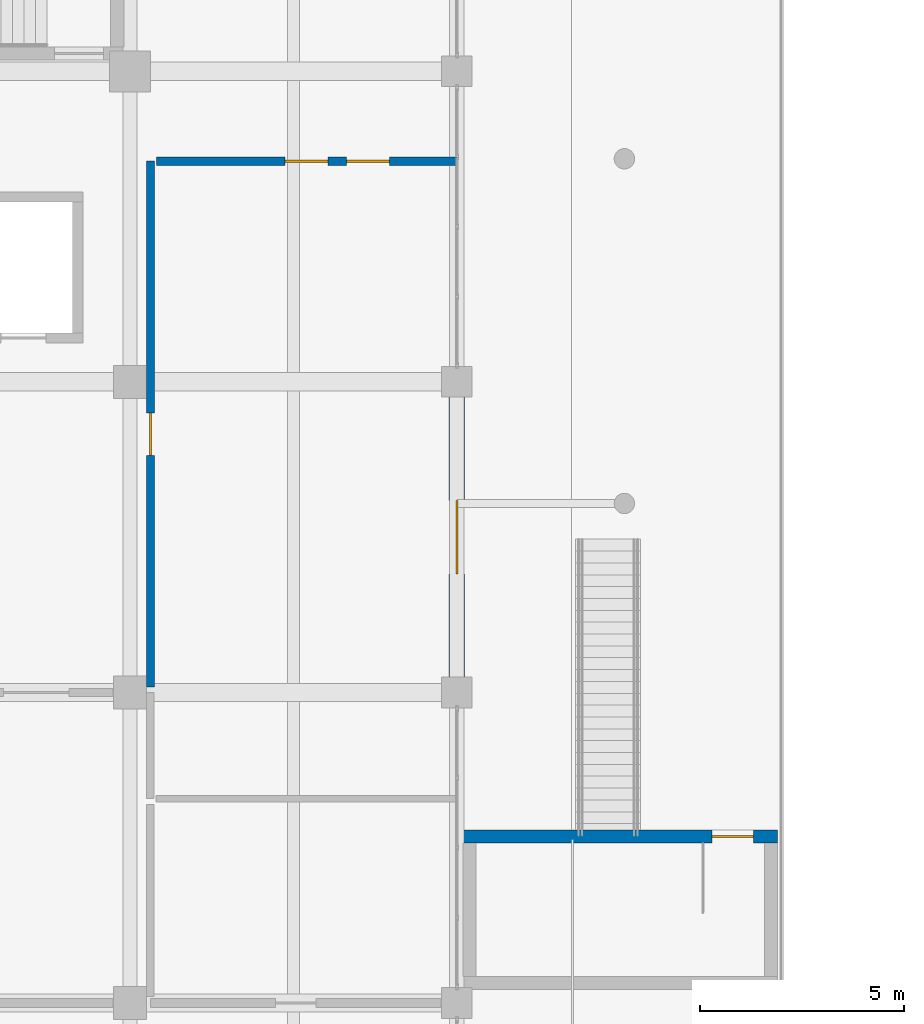
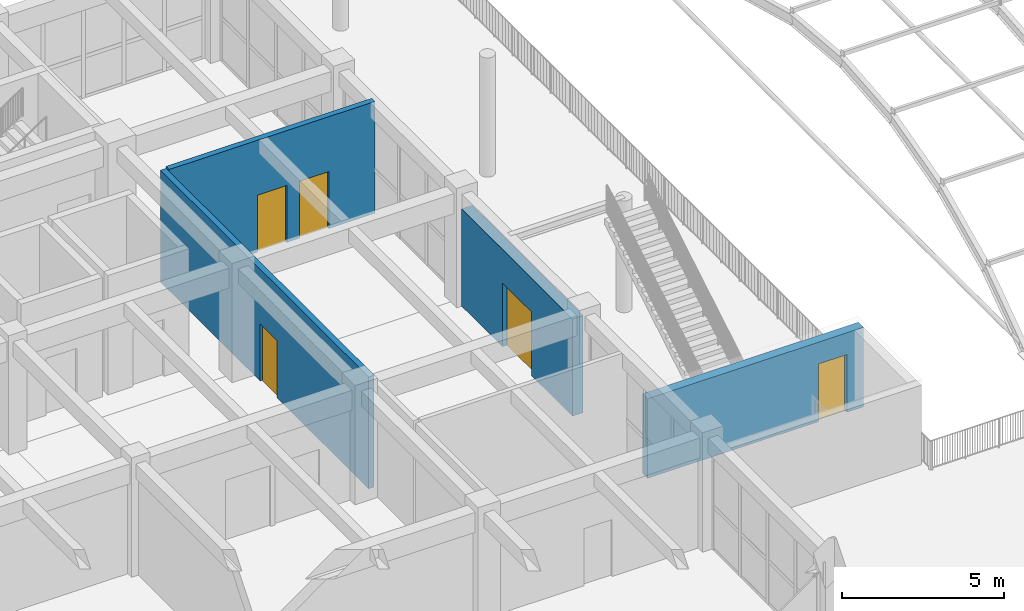
# One storey, part 56 of 79: 5 doors, 4 walls, 5 openings.
"""IFC4 building model written with IfcOpenShell, lengths in metres."""

from ifc_helpers import new_model, si_unit, direction, frame, frame_2d, origin, place, context, subcontext, project, spatial, rectangle, extrude, material, layer, layer_set, type_object, element, fill, save


model = new_model("IFC4")

# Units and contexts
model_context = context("Model", 3, precision=1e-05, world=origin(), true_north=direction((0.0, 1.0)))
body_context = subcontext(model_context, "Body", "Model", "MODEL_VIEW")
ifc_project = project(units=[si_unit("LENGTHUNIT", "METRE"), si_unit("AREAUNIT", "SQUARE_METRE"), si_unit("VOLUMEUNIT", "CUBIC_METRE"), si_unit("PLANEANGLEUNIT", "RADIAN"), si_unit("MASSUNIT", "GRAM", prefix="KILO")], contexts=[model_context])

# Site, building, storey
site_placement = place(None, origin())
site = spatial("IfcSite", under=ifc_project, at=site_placement, CompositionType="ELEMENT")
building_placement = place(site_placement, origin())
building = spatial("IfcBuilding", under=site, at=building_placement, Name="Zantavel Square City Hall", CompositionType="ELEMENT")
storey_placement = place(building_placement, frame((0.0, 0.0, 10.199951171875)))
storey = spatial("IfcBuildingStorey", under=building, at=storey_placement, Name="L03", CompositionType="ELEMENT", Elevation=10.199951171875)

# Wall, opening, door
ifc_material_1 = material(Name="Concrete C40/50", Category="concrete")
ifc_layer_1 = layer(ifc_material_1, 0.320068359375, Name="Concrete C40/50")
ifc_layer_set_1 = layer_set([ifc_layer_1], Name="Concrete C40/50")
wall_type_1 = type_object("IfcWallType", Name="Core Shear Wall RC 320mm C40/50", PredefinedType="SHEAR", material=ifc_layer_set_1)
wall_1_placement = place(storey_placement, frame((112.14990234375, 42.080078125, 0.0), z_axis=(0.0, 0.0, 1.0), x_axis=(1.0, 0.0, 0.0)))
wall_1 = element("IfcWall", 1, at=wall_1_placement, inside=storey, type_object=wall_type_1, Name="L03 Stair ST4 Garden Headhouse Wall N", PredefinedType="SHEAR", context=body_context, shape_type="SweptSolid", body=[
    extrude(rectangle(XDim=7.7001953125, YDim=0.320068359375, at=frame_2d((3.85009765625, 0.0))), origin(), (0.0, 0.0, 1.0), 3.0),
])
opening_1_placement = place(wall_1_placement, frame((6.090087890625, 0.0, 0.0)))
opening_1 = element("IfcOpeningElement", 2, at=opening_1_placement, cuts=wall_1, Name="Opening RD-02", PredefinedType="OPENING", context=body_context, shape_type="SweptSolid", body=[
    extrude(rectangle(XDim=1.02001953125, YDim=2.179931640625, at=frame_2d((0.510009765625, 1.08984375))), frame((0.0, 0.169921875, 0.0), z_axis=(0.0, -1.0, 0.0), x_axis=(1.0, 0.0, 0.0)), (0.0, 0.0, 1.0), 0.340087890625),
])
ifc_material_2 = material(Name="Steel ASTM A500 Grade B", Category="steel")
door_type_1 = type_object("IfcDoorType", Name="Headhouse Roof Access Fire Door 1020x2180", OperationType="NOTDEFINED", PredefinedType="DOOR", material=ifc_material_2)
door_1_placement = place(opening_1_placement, origin())
door_1 = element("IfcDoor", 3, at=door_1_placement, inside=storey, type_object=door_type_1, Name="L03 Stair ST4 Planted Roof Garden Door", OperationType="SINGLE_SWING_RIGHT", OverallHeight=2.179931640625, OverallWidth=1.02001953125, PredefinedType="DOOR", context=body_context, shape_type="SweptSolid", body=[
    extrude(rectangle(XDim=1.02001953125, YDim=2.179931640625, at=frame_2d((0.510009765625, 1.08984375))), frame((0.0, 0.02490234375, 0.0), z_axis=(0.0, -1.0, 0.0), x_axis=(1.0, 0.0, 0.0)), (0.0, 0.0, 1.0), 0.050048828125),
])
fill(opening_1, door_1)

ifc_material_3 = material(Name="Cantera volcanic tuff stone", Category="masonry")
ifc_layer_2 = layer(ifc_material_3, 0.199951171875, Name="Cantera volcanic tuff stone")
ifc_layer_set_2 = layer_set([ifc_layer_2], Name="Cantera volcanic tuff stone")
wall_type_2 = type_object("IfcWallType", Name="Exit Corridor Rated Wall 200mm", PredefinedType="STANDARD", material=ifc_layer_set_2)
wall_2_placement = place(storey_placement, frame((104.5, 45.739990234375, 0.0), z_axis=(0.0, 0.0, 1.0), x_axis=(0.0, 1.0, 0.0)))
wall_2 = element("IfcWall", 4, at=wall_2_placement, inside=storey, type_object=wall_type_2, Name="L03 Interior Wall IW-L03-0276", PredefinedType="STANDARD", context=body_context, shape_type="SweptSolid", body=[
    extrude(rectangle(XDim=12.860107421875, YDim=0.199951171875, at=frame_2d((6.43017578125, 0.0))), origin(), (0.0, 0.0, 1.0), 4.219970703125),
])
opening_2_placement = place(wall_2_placement, frame((5.655029296875, 0.0, 0.0)))
opening_2 = element("IfcOpeningElement", 5, at=opening_2_placement, cuts=wall_2, Name="Opening D-0126", PredefinedType="OPENING", context=body_context, shape_type="SweptSolid", body=[
    extrude(rectangle(XDim=1.050048828125, YDim=2.14990234375, at=frame_2d((0.52490234375, 1.074951171875))), frame((0.0, 0.10986328125, 0.0), z_axis=(0.0, -1.0, 0.0), x_axis=(1.0, 0.0, 0.0)), (0.0, 0.0, 1.0), 0.219970703125),
])
ifc_material_4 = material(Name="Solid oak hardwood", Category="wood")
door_type_2 = type_object("IfcDoorType", Name="Corridor Office Oak Fire Door 1050x2150 FD60S", OperationType="NOTDEFINED", PredefinedType="DOOR", material=ifc_material_4)
door_2_placement = place(opening_2_placement, origin())
door_2 = element("IfcDoor", 6, at=door_2_placement, inside=storey, type_object=door_type_2, Name="L03 Councilors Suite East Door", OperationType="SINGLE_SWING_RIGHT", OverallHeight=2.14990234375, OverallWidth=1.050048828125, PredefinedType="DOOR", context=body_context, shape_type="SweptSolid", body=[
    extrude(rectangle(XDim=1.050048828125, YDim=2.14990234375, at=frame_2d((0.52490234375, 1.074951171875))), frame((0.0, 0.02490234375, 0.0), z_axis=(0.0, -1.0, 0.0), x_axis=(1.0, 0.0, 0.0)), (0.0, 0.0, 1.0), 0.050048828125),
])
fill(opening_2, door_2)

# Wall, openings, doors
wall_3_placement = place(storey_placement, frame((104.64990234375, 58.60009765625, 0.0), z_axis=(0.0, 0.0, 1.0), x_axis=(1.0, 0.0, 0.0)))
wall_3 = element("IfcWall", 7, at=wall_3_placement, inside=storey, type_object=wall_type_2, Name="L03 Interior Wall IW-L03-0277", PredefinedType="STANDARD", context=body_context, shape_type="SweptSolid", body=[
    extrude(rectangle(XDim=7.35009765625, YDim=0.199951171875, at=frame_2d((3.675048828125, 0.0))), origin(), (0.0, 0.0, 1.0), 4.219970703125),
])
opening_3_placement = place(wall_3_placement, frame((3.14990234375, 0.0, 0.0)))
opening_3 = element("IfcOpeningElement", 8, at=opening_3_placement, cuts=wall_3, Name="Opening D-0127", PredefinedType="OPENING", context=body_context, shape_type="SweptSolid", body=[
    extrude(rectangle(XDim=1.050048828125, YDim=2.14990234375, at=frame_2d((0.52490234375, 1.074951171875))), frame((0.0, 0.10986328125, 0.0), z_axis=(0.0, -1.0, 0.0), x_axis=(1.0, 0.0, 0.0)), (0.0, 0.0, 1.0), 0.219970703125),
])
opening_4_placement = place(wall_3_placement, frame((4.64990234375, 0.0, 0.0)))
opening_4 = element("IfcOpeningElement", 9, at=opening_4_placement, cuts=wall_3, Name="Opening D-0140", PredefinedType="OPENING", context=body_context, shape_type="SweptSolid", body=[
    extrude(rectangle(XDim=1.050048828125, YDim=2.14990234375, at=frame_2d((0.52490234375, 1.074951171875))), frame((0.0, 0.10986328125, 0.0), z_axis=(0.0, -1.0, 0.0), x_axis=(1.0, 0.0, 0.0)), (0.0, 0.0, 1.0), 0.219970703125),
])
door_3_placement = place(opening_3_placement, origin())
door_3 = element("IfcDoor", 10, at=door_3_placement, inside=storey, type_object=door_type_2, Name="L03 Councilors Suite East Door", OperationType="SINGLE_SWING_LEFT", OverallHeight=2.14990234375, OverallWidth=1.050048828125, PredefinedType="DOOR", context=body_context, shape_type="SweptSolid", body=[
    extrude(rectangle(XDim=1.050048828125, YDim=2.14990234375, at=frame_2d((0.52490234375, 1.074951171875))), frame((0.0, 0.02490234375, 0.0), z_axis=(0.0, -1.0, 0.0), x_axis=(1.0, 0.0, 0.0)), (0.0, 0.0, 1.0), 0.050048828125),
])
fill(opening_3, door_3)
door_4_placement = place(opening_4_placement, origin())
door_4 = element("IfcDoor", 11, at=door_4_placement, inside=storey, type_object=door_type_2, Name="L03 Councilors Suite East Door", OperationType="SINGLE_SWING_RIGHT", OverallHeight=2.14990234375, OverallWidth=1.050048828125, PredefinedType="DOOR", context=body_context, shape_type="SweptSolid", body=[
    extrude(rectangle(XDim=1.050048828125, YDim=2.14990234375, at=frame_2d((0.52490234375, 1.074951171875))), frame((0.0, 0.02490234375, 0.0), z_axis=(0.0, -1.0, 0.0), x_axis=(1.0, 0.0, 0.0)), (0.0, 0.0, 1.0), 0.050048828125),
])
fill(opening_4, door_4)

# Wall, opening, door
ifc_material_5 = material(Name="White cantera volcanic tuff stone", Category="masonry")
ifc_layer_3 = layer(ifc_material_5, 0.3798828125, Name="White cantera volcanic tuff stone")
ifc_layer_set_3 = layer_set([ifc_layer_3], Name="White cantera volcanic tuff stone")
wall_type_3 = type_object("IfcWallType", Name="White Cantera Tray Facade Wall 380mm", PredefinedType="STANDARD", material=ifc_layer_set_3)
wall_4_placement = place(storey_placement, frame((112.0, 52.824951171875, 0.0), z_axis=(0.0, 0.0, 1.0), x_axis=(0.0, -1.0, 0.0)))
wall_4 = element("IfcWall", 12, at=wall_4_placement, inside=storey, type_object=wall_type_3, Name="L03 Exterior Wall EW-L03-032", PredefinedType="STANDARD", context=body_context, shape_type="SweptSolid", body=[
    extrude(rectangle(XDim=6.849853515625, YDim=0.3798828125, at=frame_2d((3.4248046875, 0.0))), origin(), (0.0, 0.0, 1.0), 3.670166015625),
])
opening_5_placement = place(wall_4_placement, frame((2.52490234375, 0.0, 0.0)))
opening_5 = element("IfcOpeningElement", 13, at=opening_5_placement, cuts=wall_4, Name="Opening ED-023", PredefinedType="OPENING", context=body_context, shape_type="SweptSolid", body=[
    extrude(rectangle(XDim=1.800048828125, YDim=2.39990234375, at=frame_2d((0.89990234375, 1.199951171875))), frame((0.0, 0.199951171875, 0.0), z_axis=(0.0, -1.0, 0.0), x_axis=(1.0, 0.0, 0.0)), (0.0, 0.0, 1.0), 0.39990234375),
])
ifc_material_6 = material(Name="Anodised aluminium 6063-T6", Category="aluminium")
door_type_3 = type_object("IfcDoorType", Name="Tray Terrace Glazed Double Door 1800x2400", OperationType="NOTDEFINED", PredefinedType="DOOR", material=ifc_material_6)
door_5_placement = place(opening_5_placement, origin())
door_5 = element("IfcDoor", 14, at=door_5_placement, inside=storey, type_object=door_type_3, Name="L03 East Cantera Tray & Roof Garden Door", OperationType="DOUBLE_DOOR_SINGLE_SWING", OverallHeight=2.39990234375, OverallWidth=1.800048828125, PredefinedType="DOOR", context=body_context, shape_type="SweptSolid", body=[
    extrude(rectangle(XDim=1.800048828125, YDim=2.39990234375, at=frame_2d((0.89990234375, 1.199951171875))), frame((0.0, 0.02490234375, 0.0), z_axis=(0.0, -1.0, 0.0), x_axis=(1.0, 0.0, 0.0)), (0.0, 0.0, 1.0), 0.050048828125),
])
fill(opening_5, door_5)

save(model, "model.ifc")
